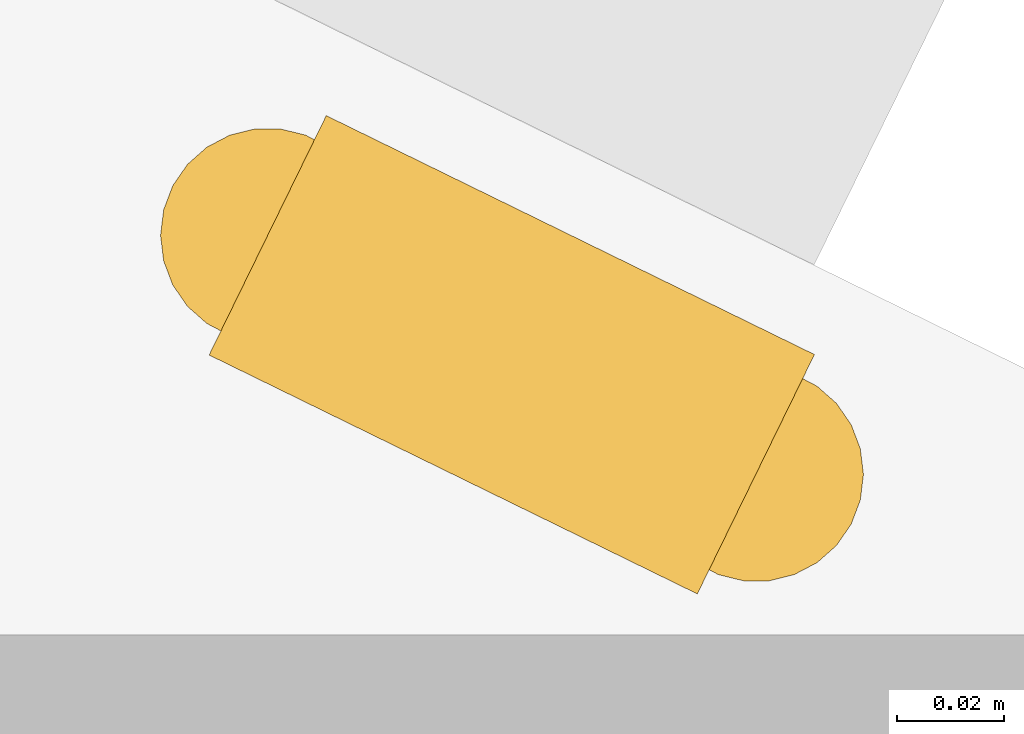
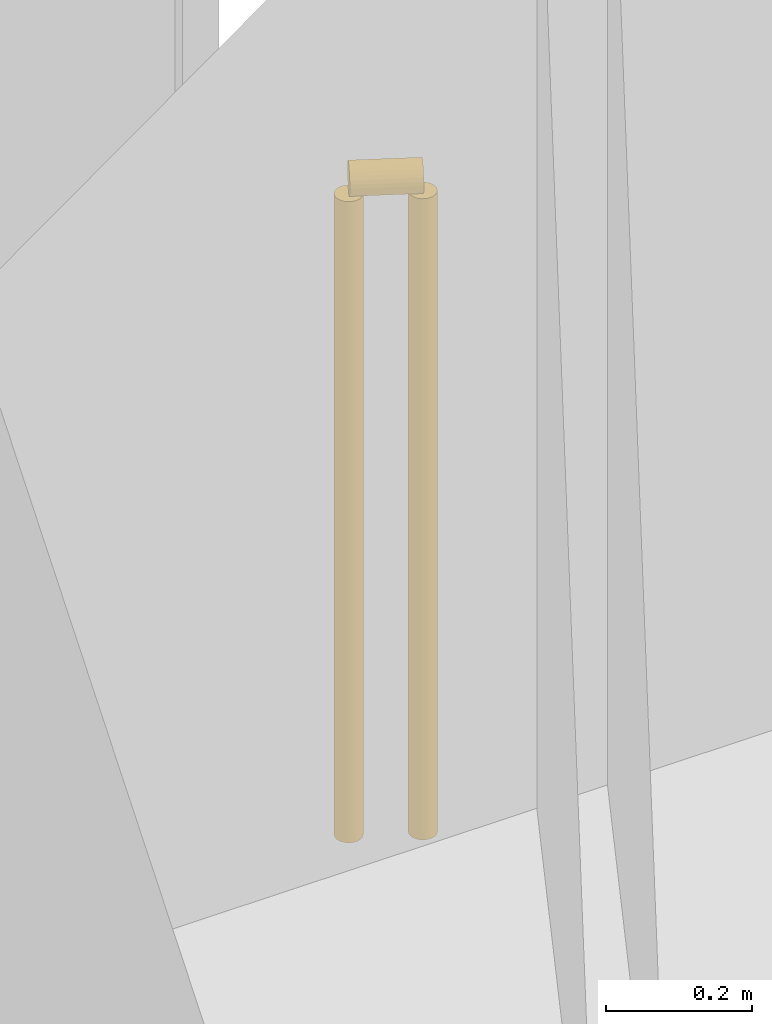
# One storey, part 37 of 38: 1 railing.
"""IFC4 building model written with IfcOpenShell, lengths in metres."""

from ifc_helpers import new_model, si_unit, direction, frame, origin, origin_2d, place, context, subcontext, project, spatial, circle, extrude, material, type_object, element, save


model = new_model("IFC4")

# Units and contexts
model_context = context("Model", 3, precision=1e-05, world=origin(), true_north=direction((0.0, 1.0)))
body_context = subcontext(model_context, "Body", "Model", "MODEL_VIEW")
ifc_project = project(units=[si_unit("LENGTHUNIT", "METRE"), si_unit("AREAUNIT", "SQUARE_METRE"), si_unit("VOLUMEUNIT", "CUBIC_METRE"), si_unit("PLANEANGLEUNIT", "RADIAN"), si_unit("MASSUNIT", "GRAM", prefix="KILO")], contexts=[model_context])

# Site, building, storey
site_placement = place(None, origin())
site = spatial("IfcSite", under=ifc_project, at=site_placement, CompositionType="ELEMENT")
building_placement = place(site_placement, origin())
building = spatial("IfcBuilding", under=site, at=building_placement, Name="Orlundy Tower", CompositionType="ELEMENT")
storey_placement = place(building_placement, frame((0.0, 0.0, 65.800048828125)))
storey = spatial("IfcBuildingStorey", under=building, at=storey_placement, Name="L15", CompositionType="ELEMENT", Elevation=65.800048828125)

# Railing
ifc_material = material(Name="Stainless steel bronze finish", Category="steel")
railing_type = type_object("IfcRailingType", Name="TG1 terrace guard", PredefinedType="GUARDRAIL", material=ifc_material)
railing_placement = place(storey_placement, frame((46.218994140625, -0.47021484375, 0.0)))
element("IfcRailing", 1, at=railing_placement, inside=storey, type_object=railing_type, Name="Guard TG-L15-E02", PredefinedType="GUARDRAIL", context=body_context, shape_type="SweptSolid", body=[
    extrude(circle(Radius=0.02490234375, at=origin_2d()), frame((0.0, 0.0, 1.09521484375), z_axis=(0.898236896108, -0.439511636331, 0.0), x_axis=(0.439511636331, 0.898236896108, 0.0)), (0.0, 0.0, 1.0), 0.1015625),
    extrude(circle(Radius=0.02001953125, at=origin_2d()), origin(), (0.0, 0.0, 1.0), 1.070068359375),
    extrude(circle(Radius=0.02001953125, at=origin_2d()), frame((0.09130859375, -0.044677734375, 0.0)), (0.0, 0.0, 1.0), 1.070068359375),
])

save(model, "model.ifc")
